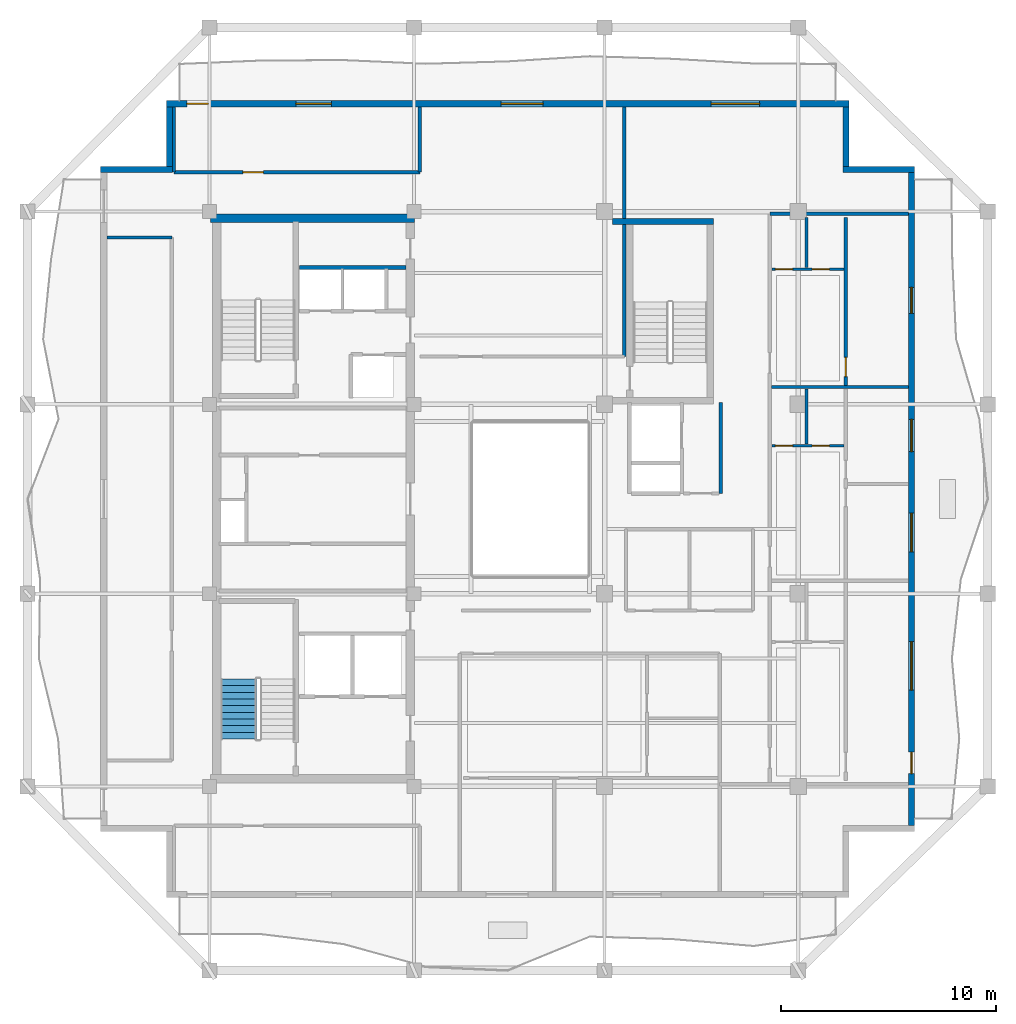
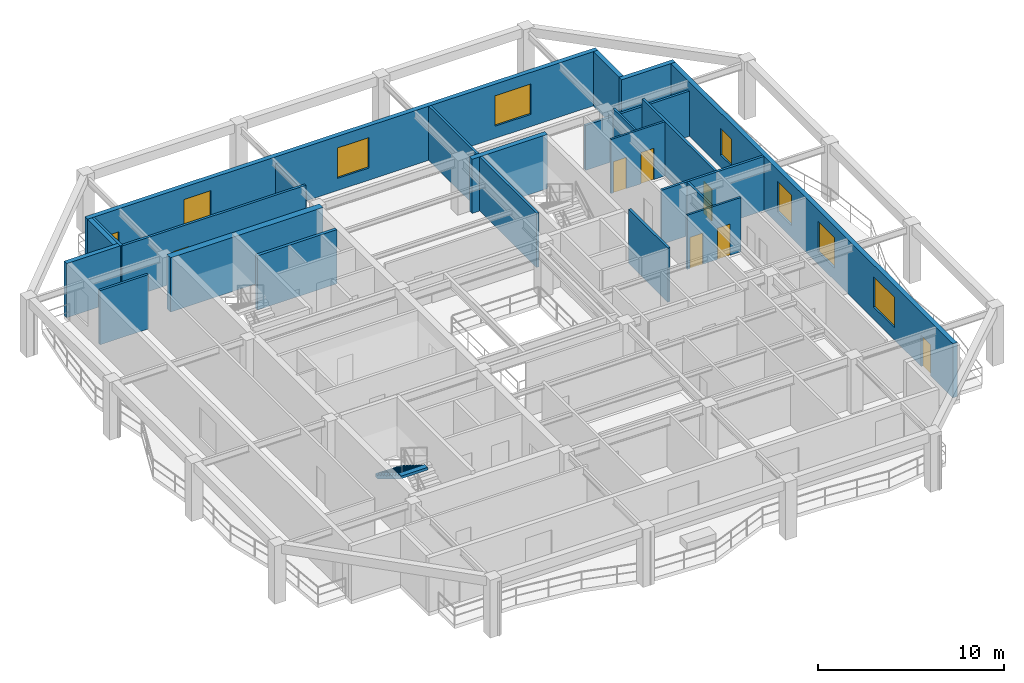
# One storey, part 5 of 10: 22 walls, 8 doors, 7 windows, 1 stair flight, 15 openings, 1 element without a shape of its own.
"""IFC4 building model written with IfcOpenShell, lengths in metres."""

from ifc_helpers import new_model, si_unit, direction, frame, frame_2d, origin, place, context, subcontext, project, spatial, polyline, rectangle, outline, extrude, material, layer, layer_set, type_object, element, fill, aggregate, save


model = new_model("IFC4")

# Units and contexts
model_context = context("Model", 3, precision=1e-05, world=origin(), true_north=direction((0.0, 1.0)))
body_context = subcontext(model_context, "Body", "Model", "MODEL_VIEW")
ifc_project = project(units=[si_unit("LENGTHUNIT", "METRE"), si_unit("AREAUNIT", "SQUARE_METRE"), si_unit("VOLUMEUNIT", "CUBIC_METRE"), si_unit("PLANEANGLEUNIT", "RADIAN"), si_unit("MASSUNIT", "GRAM", prefix="KILO")], contexts=[model_context])

# Site, building, storey
site_placement = place(None, origin())
site = spatial("IfcSite", under=ifc_project, at=site_placement, CompositionType="ELEMENT")
building_placement = place(site_placement, origin())
building = spatial("IfcBuilding", under=site, at=building_placement, Name="Kundavana Baori Tower", CompositionType="ELEMENT")
storey_placement = place(building_placement, frame((0.0, 0.0, 316.300048828125)))
storey = spatial("IfcBuildingStorey", under=building, at=storey_placement, Name="L78", CompositionType="ELEMENT", Elevation=316.300048828125)

# Wall
ifc_material_1 = material(Name="Concrete C50/60", Category="concrete")
ifc_layer_1 = layer(ifc_material_1, 0.39990234375, Name="WL-CORE-400")
ifc_layer_set_1 = layer_set([ifc_layer_1], Name="Concrete C50/60")
wall_type_1 = type_object("IfcWallType", Name="WL-CORE-400", PredefinedType="SHEAR", material=ifc_layer_set_1)
wall_1_placement = place(storey_placement, frame((15.5, 41.639892578125, 0.0), z_axis=(0.0, 0.0, 1.0), x_axis=(1.0, 0.0, 0.0)))
element("IfcWall", 1, at=wall_1_placement, inside=storey, type_object=wall_type_1, Name="L78 Offset Core North Shear Wall", PredefinedType="SHEAR", context=body_context, shape_type="SweptSolid", body=[
    extrude(rectangle(XDim=9.47998046875, YDim=0.39990234375, at=frame_2d((4.739990234375, 0.0))), origin(), (0.0, 0.0, 1.0), 3.56005859375),
])

# Wall, openings, door, windows
ifc_material_2 = material(Name="Red-Buff Dholpur Sandstone Cladding on Concrete C40/50", Category="masonry")
ifc_layer_2 = layer(ifc_material_2, 0.280029296875, Name="WL-EXT-SAND-280")
ifc_layer_set_2 = layer_set([ifc_layer_2], Name="Red-Buff Dholpur Sandstone Cladding on Concrete C40/50")
wall_type_2 = type_object("IfcWallType", Name="WL-EXT-SAND-280", PredefinedType="STANDARD", material=ifc_layer_set_2)
wall_2_placement = place(storey_placement, frame((48.06005859375, 13.429931640625, 0.0), z_axis=(0.0, 0.0, 1.0), x_axis=(0.0, 1.0, 0.0)))
wall_2 = element("IfcWall", 2, at=wall_2_placement, inside=storey, type_object=wall_type_2, Name="L78 Exterior Insulated Facade Wall 04", PredefinedType="STANDARD", context=body_context, shape_type="SweptSolid", body=[
    extrude(rectangle(XDim=30.340087890625, YDim=0.280029296875, at=frame_2d((15.169921875, 0.0))), origin(), (0.0, 0.0, 1.0), 3.56005859375),
])
opening_1_placement = place(wall_2_placement, frame((2.409912109375, 0.0, 0.0)))
opening_1 = element("IfcOpeningElement", 3, at=opening_1_placement, cuts=wall_2, Name="Opening BD-1", PredefinedType="OPENING", context=body_context, shape_type="SweptSolid", body=[
    extrude(rectangle(XDim=1.0, YDim=2.050048828125, at=frame_2d((0.5, 1.02490234375))), frame((0.0, 0.14990234375, 0.0), z_axis=(0.0, -1.0, 0.0), x_axis=(1.0, 0.0, 0.0)), (0.0, 0.0, 1.0), 0.300048828125),
])
opening_2_placement = place(wall_2_placement, frame((6.294921875, 0.0, 0.800048828125)))
opening_2 = element("IfcOpeningElement", 4, at=opening_2_placement, cuts=wall_2, Name="Opening W-10", PredefinedType="OPENING", context=body_context, shape_type="SweptSolid", body=[
    extrude(rectangle(XDim=2.25, YDim=2.0, at=frame_2d((1.125, 1.0))), frame((0.0, 0.14990234375, 0.0), z_axis=(0.0, -1.0, 0.0), x_axis=(1.0, 0.0, 0.0)), (0.0, 0.0, 1.0), 0.300048828125),
])
opening_3_placement = place(wall_2_placement, frame((12.719970703125, 0.0, 0.800048828125)))
opening_3 = element("IfcOpeningElement", 5, at=opening_3_placement, cuts=wall_2, Name="Opening W-01", PredefinedType="OPENING", context=body_context, shape_type="SweptSolid", body=[
    extrude(rectangle(XDim=1.800048828125, YDim=2.0, at=frame_2d((0.89990234375, 1.0))), frame((0.0, 0.14990234375, 0.0), z_axis=(0.0, -1.0, 0.0), x_axis=(1.0, 0.0, 0.0)), (0.0, 0.0, 1.0), 0.300048828125),
])
opening_4_placement = place(wall_2_placement, frame((17.3701171875, 0.0, 0.800048828125)))
opening_4 = element("IfcOpeningElement", 6, at=opening_4_placement, cuts=wall_2, Name="Opening W-02", PredefinedType="OPENING", context=body_context, shape_type="SweptSolid", body=[
    extrude(rectangle(XDim=1.5, YDim=2.0, at=frame_2d((0.75, 1.0))), frame((0.0, 0.14990234375, 0.0), z_axis=(0.0, -1.0, 0.0), x_axis=(1.0, 0.0, 0.0)), (0.0, 0.0, 1.0), 0.300048828125),
])
opening_5_placement = place(wall_2_placement, frame((23.794921875, 0.0, 0.800048828125)))
opening_5 = element("IfcOpeningElement", 7, at=opening_5_placement, cuts=wall_2, Name="Opening W-03", PredefinedType="OPENING", context=body_context, shape_type="SweptSolid", body=[
    extrude(rectangle(XDim=1.199951171875, YDim=1.75, at=frame_2d((0.60009765625, 0.875))), frame((0.0, 0.14990234375, 0.0), z_axis=(0.0, -1.0, 0.0), x_axis=(1.0, 0.0, 0.0)), (0.0, 0.0, 1.0), 0.300048828125),
])
ifc_material_3 = material(Name="Architectural Patinated Bronze Metalwork")
door_type_1 = type_object("IfcDoorType", Name="DR-EXT-LOG-1000", OperationType="NOTDEFINED", PredefinedType="DOOR", material=ifc_material_3)
door_1_placement = place(opening_1_placement, frame((1.0, 0.0, 0.0), z_axis=(0.0, 0.0, 1.0), x_axis=(-1.0, 0.0, 0.0)))
door_1 = element("IfcDoor", 8, at=door_1_placement, inside=storey, type_object=door_type_1, Name="L78 Loggia Balcony Access Door E", OperationType="SINGLE_SWING_RIGHT", OverallHeight=2.050048828125, OverallWidth=1.0, PredefinedType="DOOR", context=body_context, shape_type="SweptSolid", body=[
    extrude(rectangle(XDim=1.0, YDim=2.050048828125, at=frame_2d((0.5, 1.02490234375))), frame((0.0, 0.02490234375, 0.0), z_axis=(0.0, -1.0, 0.0), x_axis=(1.0, 0.0, 0.0)), (0.0, 0.0, 1.0), 0.050048828125),
])
fill(opening_1, door_1)
ifc_material_4 = material(Name="Double-Glazed Solar-Control Low-E Insulated Glass", Category="glass")
window_type_1 = type_object("IfcWindowType", Name="WIN-LOG-1200x1750", PartitioningType="SINGLE_PANEL", PredefinedType="WINDOW", material=ifc_material_4)
window_1_placement = place(opening_5_placement, origin())
window_1 = element("IfcWindow", 9, at=window_1_placement, inside=storey, type_object=window_type_1, Name="L78 Recessed Loggia Window E-4", OverallHeight=1.75, OverallWidth=1.199951171875, PartitioningType="SINGLE_PANEL", PredefinedType="WINDOW", context=body_context, shape_type="SweptSolid", body=[
    extrude(rectangle(XDim=1.199951171875, YDim=1.75, at=frame_2d((0.60009765625, 0.875))), frame((0.0, 0.030029296875, 0.0), z_axis=(0.0, -1.0, 0.0), x_axis=(1.0, 0.0, 0.0)), (0.0, 0.0, 1.0), 0.06005859375),
])
fill(opening_5, window_1)
ifc_material_5 = material(Name="Double-Glazed Solar-Control Low-E Insulated Glass", Category="glass")
window_type_2 = type_object("IfcWindowType", Name="WIN-LOG-1500x2000", PartitioningType="SINGLE_PANEL", PredefinedType="WINDOW", material=ifc_material_5)
window_2_placement = place(opening_4_placement, origin())
window_2 = element("IfcWindow", 10, at=window_2_placement, inside=storey, type_object=window_type_2, Name="L78 Recessed Loggia Window E-3", OverallHeight=2.0, OverallWidth=1.5, PartitioningType="SINGLE_PANEL", PredefinedType="WINDOW", context=body_context, shape_type="SweptSolid", body=[
    extrude(rectangle(XDim=1.5, YDim=2.0, at=frame_2d((0.75, 1.0))), frame((0.0, 0.030029296875, 0.0), z_axis=(0.0, -1.0, 0.0), x_axis=(1.0, 0.0, 0.0)), (0.0, 0.0, 1.0), 0.06005859375),
])
fill(opening_4, window_2)
ifc_material_6 = material(Name="Double-Glazed Solar-Control Low-E Insulated Glass", Category="glass")
window_type_3 = type_object("IfcWindowType", Name="WIN-LOG-1800x2000", PartitioningType="SINGLE_PANEL", PredefinedType="WINDOW", material=ifc_material_6)
window_3_placement = place(opening_3_placement, origin())
window_3 = element("IfcWindow", 11, at=window_3_placement, inside=storey, type_object=window_type_3, Name="L78 Recessed Loggia Window E-2", OverallHeight=2.0, OverallWidth=1.800048828125, PartitioningType="SINGLE_PANEL", PredefinedType="WINDOW", context=body_context, shape_type="SweptSolid", body=[
    extrude(rectangle(XDim=1.800048828125, YDim=2.0, at=frame_2d((0.89990234375, 1.0))), frame((0.0, 0.030029296875, 0.0), z_axis=(0.0, -1.0, 0.0), x_axis=(1.0, 0.0, 0.0)), (0.0, 0.0, 1.0), 0.06005859375),
])
fill(opening_3, window_3)
ifc_material_7 = material(Name="Double-Glazed Solar-Control Low-E Insulated Glass", Category="glass")
window_type_4 = type_object("IfcWindowType", Name="WIN-LOG-2250x2000", PartitioningType="SINGLE_PANEL", PredefinedType="WINDOW", material=ifc_material_7)
window_4_placement = place(opening_2_placement, origin())
window_4 = element("IfcWindow", 12, at=window_4_placement, inside=storey, type_object=window_type_4, Name="L78 Recessed Loggia Window E-1", OverallHeight=2.0, OverallWidth=2.25, PartitioningType="SINGLE_PANEL", PredefinedType="WINDOW", context=body_context, shape_type="SweptSolid", body=[
    extrude(rectangle(XDim=2.25, YDim=2.0, at=frame_2d((1.125, 1.0))), frame((0.0, 0.030029296875, 0.0), z_axis=(0.0, -1.0, 0.0), x_axis=(1.0, 0.0, 0.0)), (0.0, 0.0, 1.0), 0.06005859375),
])
fill(opening_2, window_4)

# Walls
wall_3_placement = place(storey_placement, frame((48.199951171875, 43.909912109375, 0.0), z_axis=(0.0, 0.0, 1.0), x_axis=(-1.0, 0.0, 0.0)))
element("IfcWall", 13, at=wall_3_placement, inside=storey, type_object=wall_type_2, Name="L78 Exterior Insulated Facade Wall 05", PredefinedType="STANDARD", context=body_context, shape_type="SweptSolid", body=[
    extrude(rectangle(XDim=3.329833984375, YDim=0.280029296875, at=frame_2d((1.6650390625, 0.0))), origin(), (0.0, 0.0, 1.0), 3.56005859375),
])
wall_4_placement = place(storey_placement, frame((45.010009765625, 44.050048828125, 0.0), z_axis=(0.0, 0.0, 1.0), x_axis=(0.0, 1.0, 0.0)))
element("IfcWall", 14, at=wall_4_placement, inside=storey, type_object=wall_type_2, Name="L78 Exterior Insulated Facade Wall 06", PredefinedType="STANDARD", context=body_context, shape_type="SweptSolid", body=[
    extrude(rectangle(XDim=2.77001953125, YDim=0.280029296875, at=frame_2d((1.385009765625, 0.0))), origin(), (0.0, 0.0, 1.0), 3.56005859375),
])

# Wall, openings, door, windows
wall_5_placement = place(storey_placement, frame((45.14990234375, 46.9599609375, 0.0), z_axis=(0.0, 0.0, 1.0), x_axis=(-1.0, 0.0, 0.0)))
wall_5 = element("IfcWall", 15, at=wall_5_placement, inside=storey, type_object=wall_type_2, Name="L78 Exterior Insulated Facade Wall 07", PredefinedType="STANDARD", context=body_context, shape_type="SweptSolid", body=[
    extrude(rectangle(XDim=31.699951171875, YDim=0.280029296875, at=frame_2d((15.85009765625, 0.0))), origin(), (0.0, 0.0, 1.0), 3.56005859375),
])
opening_6_placement = place(wall_5_placement, frame((29.75, 0.0, 0.0)))
opening_6 = element("IfcOpeningElement", 16, at=opening_6_placement, cuts=wall_5, Name="Opening BD-1", PredefinedType="OPENING", context=body_context, shape_type="SweptSolid", body=[
    extrude(rectangle(XDim=1.0, YDim=2.050048828125, at=frame_2d((0.5, 1.02490234375))), frame((0.0, 0.14990234375, 0.0), z_axis=(0.0, -1.0, 0.0), x_axis=(1.0, 0.0, 0.0)), (0.0, 0.0, 1.0), 0.300048828125),
])
opening_7_placement = place(wall_5_placement, frame((24.0400390625, 0.0, 0.800048828125)))
opening_7 = element("IfcOpeningElement", 17, at=opening_7_placement, cuts=wall_5, Name="Opening W-08", PredefinedType="OPENING", context=body_context, shape_type="SweptSolid", body=[
    extrude(rectangle(XDim=1.64990234375, YDim=1.949951171875, at=frame_2d((0.824951171875, 0.97509765625))), frame((0.0, 0.14990234375, 0.0), z_axis=(0.0, -1.0, 0.0), x_axis=(1.0, 0.0, 0.0)), (0.0, 0.0, 1.0), 0.300048828125),
])
opening_8_placement = place(wall_5_placement, frame((14.205078125, 0.0, 0.800048828125)))
opening_8 = element("IfcOpeningElement", 18, at=opening_8_placement, cuts=wall_5, Name="Opening W-09", PredefinedType="OPENING", context=body_context, shape_type="SweptSolid", body=[
    extrude(rectangle(XDim=1.949951171875, YDim=2.0, at=frame_2d((0.97509765625, 1.0))), frame((0.0, 0.14990234375, 0.0), z_axis=(0.0, -1.0, 0.0), x_axis=(1.0, 0.0, 0.0)), (0.0, 0.0, 1.0), 0.300048828125),
])
opening_9_placement = place(wall_5_placement, frame((4.14501953125, 0.0, 0.800048828125)))
opening_9 = element("IfcOpeningElement", 19, at=opening_9_placement, cuts=wall_5, Name="Opening W-10", PredefinedType="OPENING", context=body_context, shape_type="SweptSolid", body=[
    extrude(rectangle(XDim=2.25, YDim=2.0, at=frame_2d((1.125, 1.0))), frame((0.0, 0.14990234375, 0.0), z_axis=(0.0, -1.0, 0.0), x_axis=(1.0, 0.0, 0.0)), (0.0, 0.0, 1.0), 0.300048828125),
])
door_2_placement = place(opening_6_placement, frame((1.0, 0.0, 0.0), z_axis=(0.0, 0.0, 1.0), x_axis=(-1.0, 0.0, 0.0)))
door_2 = element("IfcDoor", 20, at=door_2_placement, inside=storey, type_object=door_type_1, Name="L78 Loggia Balcony Access Door N", OperationType="SINGLE_SWING_LEFT", OverallHeight=2.050048828125, OverallWidth=1.0, PredefinedType="DOOR", context=body_context, shape_type="SweptSolid", body=[
    extrude(rectangle(XDim=1.0, YDim=2.050048828125, at=frame_2d((0.5, 1.02490234375))), frame((0.0, 0.02490234375, 0.0), z_axis=(0.0, -1.0, 0.0), x_axis=(1.0, 0.0, 0.0)), (0.0, 0.0, 1.0), 0.050048828125),
])
fill(opening_6, door_2)
ifc_material_8 = material(Name="Double-Glazed Solar-Control Low-E Insulated Glass", Category="glass")
window_type_5 = type_object("IfcWindowType", Name="WIN-LOG-1650x1950", PartitioningType="SINGLE_PANEL", PredefinedType="WINDOW", material=ifc_material_8)
window_5_placement = place(opening_7_placement, origin())
window_5 = element("IfcWindow", 21, at=window_5_placement, inside=storey, type_object=window_type_5, Name="L78 Recessed Loggia Window N-1", OverallHeight=1.949951171875, OverallWidth=1.64990234375, PartitioningType="SINGLE_PANEL", PredefinedType="WINDOW", context=body_context, shape_type="SweptSolid", body=[
    extrude(rectangle(XDim=1.64990234375, YDim=1.949951171875, at=frame_2d((0.824951171875, 0.97509765625))), frame((0.0, 0.030029296875, 0.0), z_axis=(0.0, -1.0, 0.0), x_axis=(1.0, 0.0, 0.0)), (0.0, 0.0, 1.0), 0.06005859375),
])
fill(opening_7, window_5)
ifc_material_9 = material(Name="Double-Glazed Solar-Control Low-E Insulated Glass", Category="glass")
window_type_6 = type_object("IfcWindowType", Name="WIN-LOG-1950x2000", PartitioningType="SINGLE_PANEL", PredefinedType="WINDOW", material=ifc_material_9)
window_6_placement = place(opening_8_placement, origin())
window_6 = element("IfcWindow", 22, at=window_6_placement, inside=storey, type_object=window_type_6, Name="L78 Recessed Loggia Window N-2", OverallHeight=2.0, OverallWidth=1.949951171875, PartitioningType="SINGLE_PANEL", PredefinedType="WINDOW", context=body_context, shape_type="SweptSolid", body=[
    extrude(rectangle(XDim=1.949951171875, YDim=2.0, at=frame_2d((0.97509765625, 1.0))), frame((0.0, 0.030029296875, 0.0), z_axis=(0.0, -1.0, 0.0), x_axis=(1.0, 0.0, 0.0)), (0.0, 0.0, 1.0), 0.06005859375),
])
fill(opening_8, window_6)
window_7_placement = place(opening_9_placement, origin())
window_7 = element("IfcWindow", 23, at=window_7_placement, inside=storey, type_object=window_type_4, Name="L78 Recessed Loggia Window N-3", OverallHeight=2.0, OverallWidth=2.25, PartitioningType="SINGLE_PANEL", PredefinedType="WINDOW", context=body_context, shape_type="SweptSolid", body=[
    extrude(rectangle(XDim=2.25, YDim=2.0, at=frame_2d((1.125, 1.0))), frame((0.0, 0.030029296875, 0.0), z_axis=(0.0, -1.0, 0.0), x_axis=(1.0, 0.0, 0.0)), (0.0, 0.0, 1.0), 0.06005859375),
])
fill(opening_9, window_7)

# Walls
wall_6_placement = place(storey_placement, frame((13.590087890625, 46.820068359375, 0.0), z_axis=(0.0, 0.0, 1.0), x_axis=(0.0, -1.0, 0.0)))
element("IfcWall", 24, at=wall_6_placement, inside=storey, type_object=wall_type_2, Name="L78 Exterior Insulated Facade Wall 08", PredefinedType="STANDARD", context=body_context, shape_type="SweptSolid", body=[
    extrude(rectangle(XDim=2.77001953125, YDim=0.280029296875, at=frame_2d((1.385009765625, 0.0))), origin(), (0.0, 0.0, 1.0), 3.56005859375),
])
wall_7_placement = place(storey_placement, frame((13.72998046875, 43.909912109375, 0.0), z_axis=(0.0, 0.0, 1.0), x_axis=(-1.0, 0.0, 0.0)))
element("IfcWall", 25, at=wall_7_placement, inside=storey, type_object=wall_type_2, Name="L78 Exterior Insulated Facade Wall 09", PredefinedType="STANDARD", context=body_context, shape_type="SweptSolid", body=[
    extrude(rectangle(XDim=3.330078125, YDim=0.280029296875, at=frame_2d((1.6650390625, 0.0))), origin(), (0.0, 0.0, 1.0), 3.56005859375),
])
ifc_material_10 = material(Name="Fire-Rated Gypsum Drywall on Galvanised Steel Studs", Category="steel")
ifc_layer_3 = layer(ifc_material_10, 0.14990234375, Name="WL-PART-150")
ifc_layer_set_3 = layer_set([ifc_layer_3], Name="Fire-Rated Gypsum Drywall on Galvanised Steel Studs")
wall_type_3 = type_object("IfcWallType", Name="WL-PART-150", PredefinedType="PARTITIONING", material=ifc_layer_set_3)
wall_8_placement = place(storey_placement, frame((39.199951171875, 28.860107421875, 0.0), z_axis=(0.0, 0.0, 1.0), x_axis=(0.0, 1.0, 0.0)))
element("IfcWall", 26, at=wall_8_placement, inside=storey, type_object=wall_type_3, Name="WL-L78-SVLOB-E", PredefinedType="PARTITIONING", context=body_context, shape_type="SweptSolid", body=[
    extrude(rectangle(XDim=4.219970703125, YDim=0.14990234375, at=frame_2d((2.10986328125, 0.0))), origin(), (0.0, 0.0, 1.0), 3.56005859375),
])

# Wall, opening, door
wall_9_placement = place(storey_placement, frame((13.800048828125, 43.780029296875, 0.0), z_axis=(0.0, 0.0, 1.0), x_axis=(1.0, 0.0, 0.0)))
wall_9 = element("IfcWall", 27, at=wall_9_placement, inside=storey, type_object=wall_type_3, Name="WL-L78-RNC", PredefinedType="PARTITIONING", context=body_context, shape_type="SweptSolid", body=[
    extrude(rectangle(XDim=11.419921875, YDim=0.14990234375, at=frame_2d((5.7099609375, 0.0))), origin(), (0.0, 0.0, 1.0), 3.56005859375),
])
opening_10_placement = place(wall_9_placement, frame((3.199951171875, 0.0, 0.0)))
opening_10 = element("IfcOpeningElement", 28, at=opening_10_placement, cuts=wall_9, Name="Opening ID-095", PredefinedType="OPENING", context=body_context, shape_type="SweptSolid", body=[
    extrude(rectangle(XDim=0.949951171875, YDim=2.080078125, at=frame_2d((0.47509765625, 1.0400390625))), frame((0.0, 0.0849609375, 0.0), z_axis=(0.0, -1.0, 0.0), x_axis=(1.0, 0.0, 0.0)), (0.0, 0.0, 1.0), 0.169921875),
])
ifc_material_11 = material(Name="Engineered Teak Solid-Core Timber Veneer", Category="wood")
door_type_2 = type_object("IfcDoorType", Name="DR-INT-950", OperationType="NOTDEFINED", PredefinedType="DOOR", material=ifc_material_11)
door_3_placement = place(opening_10_placement, origin())
door_3 = element("IfcDoor", 29, at=door_3_placement, inside=storey, type_object=door_type_2, Name="DR-L78-RMNW", OperationType="SINGLE_SWING_RIGHT", OverallHeight=2.080078125, OverallWidth=0.949951171875, PredefinedType="DOOR", context=body_context, shape_type="SweptSolid", body=[
    extrude(rectangle(XDim=0.949951171875, YDim=2.080078125, at=frame_2d((0.47509765625, 1.0400390625))), frame((0.0, 0.02490234375, 0.0), z_axis=(0.0, -1.0, 0.0), x_axis=(1.0, 0.0, 0.0)), (0.0, 0.0, 1.0), 0.050048828125),
])
fill(opening_10, door_3)

# Walls
wall_10_placement = place(storey_placement, frame((13.800048828125, 43.780029296875, 0.0), z_axis=(0.0, 0.0, 1.0), x_axis=(0.0, 1.0, 0.0)))
element("IfcWall", 30, at=wall_10_placement, inside=storey, type_object=wall_type_3, Name="WL-L78-RNCW", PredefinedType="PARTITIONING", context=body_context, shape_type="SweptSolid", body=[
    extrude(rectangle(XDim=3.0400390625, YDim=0.14990234375, at=frame_2d((1.52001953125, 0.0))), origin(), (0.0, 0.0, 1.0), 3.56005859375),
])
wall_11_placement = place(storey_placement, frame((25.219970703125, 43.780029296875, 0.0), z_axis=(0.0, 0.0, 1.0), x_axis=(0.0, 1.0, 0.0)))
element("IfcWall", 31, at=wall_11_placement, inside=storey, type_object=wall_type_3, Name="WL-L78-RNCE", PredefinedType="PARTITIONING", context=body_context, shape_type="SweptSolid", body=[
    extrude(rectangle(XDim=3.0400390625, YDim=0.14990234375, at=frame_2d((1.52001953125, 0.0))), origin(), (0.0, 0.0, 1.0), 3.10986328125),
])
wall_12_placement = place(storey_placement, frame((10.679931640625, 40.75, 0.0), z_axis=(0.0, 0.0, 1.0), x_axis=(1.0, 0.0, 0.0)))
element("IfcWall", 32, at=wall_12_placement, inside=storey, type_object=wall_type_3, Name="WL-L78-RWN", PredefinedType="PARTITIONING", context=body_context, shape_type="SweptSolid", body=[
    extrude(rectangle(XDim=3.02001953125, YDim=0.14990234375, at=frame_2d((1.510009765625, 0.0))), origin(), (0.0, 0.0, 1.0), 3.56005859375),
])
wall_13_placement = place(storey_placement, frame((34.719970703125, 35.219970703125, 0.0), z_axis=(0.0, 0.0, 1.0), x_axis=(0.0, 1.0, 0.0)))
element("IfcWall", 33, at=wall_13_placement, inside=storey, type_object=wall_type_3, Name="WL-L78-RNEND", PredefinedType="PARTITIONING", context=body_context, shape_type="SweptSolid", body=[
    extrude(rectangle(XDim=11.60009765625, YDim=0.14990234375, at=frame_2d((5.800048828125, 0.0))), origin(), (0.0, 0.0, 1.0), 3.56005859375),
])
wall_14_placement = place(storey_placement, frame((41.47998046875, 41.85009765625, 0.0), z_axis=(0.0, 0.0, 1.0), x_axis=(1.0, 0.0, 0.0)))
element("IfcWall", 34, at=wall_14_placement, inside=storey, type_object=wall_type_3, Name="WL-L78-REN", PredefinedType="PARTITIONING", context=body_context, shape_type="SweptSolid", body=[
    extrude(rectangle(XDim=6.43994140625, YDim=0.14990234375, at=frame_2d((3.219970703125, 0.0))), origin(), (0.0, 0.0, 1.0), 2.9599609375),
])
wall_15_placement = place(storey_placement, frame((41.56005859375, 33.800048828125, 0.0), z_axis=(0.0, 0.0, 1.0), x_axis=(1.0, 0.0, 0.0)))
element("IfcWall", 35, at=wall_15_placement, inside=storey, type_object=wall_type_3, Name="WL-L78-RED2", PredefinedType="PARTITIONING", context=body_context, shape_type="SweptSolid", body=[
    extrude(rectangle(XDim=6.35986328125, YDim=0.14990234375, at=frame_2d((3.179931640625, 0.0))), origin(), (0.0, 0.0, 1.0), 3.56005859375),
])

# Wall, opening, door
wall_16_placement = place(storey_placement, frame((45.00390625, 33.8798828125, 0.0), z_axis=(0.0, 0.0, 1.0), x_axis=(0.0, 1.0, 0.0)))
wall_16 = element("IfcWall", 36, at=wall_16_placement, inside=storey, type_object=wall_type_3, Name="WL-L78-E3-VT", PredefinedType="PARTITIONING", context=body_context, shape_type="SweptSolid", body=[
    extrude(rectangle(XDim=7.7900390625, YDim=0.14990234375, at=frame_2d((3.89501953125, 0.0))), origin(), (0.0, 0.0, 1.0), 3.56005859375),
])
opening_11_placement = place(wall_16_placement, frame((0.39990234375, 0.0, 0.0)))
opening_11 = element("IfcOpeningElement", 37, at=opening_11_placement, cuts=wall_16, Name="Opening ID-090", PredefinedType="OPENING", context=body_context, shape_type="SweptSolid", body=[
    extrude(rectangle(XDim=0.89990234375, YDim=2.080078125, at=frame_2d((0.449951171875, 1.0400390625))), frame((0.0, 0.0849609375, 0.0), z_axis=(0.0, -1.0, 0.0), x_axis=(1.0, 0.0, 0.0)), (0.0, 0.0, 1.0), 0.169921875),
])
ifc_material_12 = material(Name="Engineered Teak Solid-Core Timber Veneer", Category="wood")
door_type_3 = type_object("IfcDoorType", Name="DR-INT-900", OperationType="NOTDEFINED", PredefinedType="DOOR", material=ifc_material_12)
door_4_placement = place(opening_11_placement, origin())
door_4 = element("IfcDoor", 38, at=door_4_placement, inside=storey, type_object=door_type_3, Name="DR-L78-E3-B1", OperationType="SINGLE_SWING_LEFT", OverallHeight=2.080078125, OverallWidth=0.89990234375, PredefinedType="DOOR", context=body_context, shape_type="SweptSolid", body=[
    extrude(rectangle(XDim=0.89990234375, YDim=2.080078125, at=frame_2d((0.449951171875, 1.0400390625))), frame((0.0, 0.02490234375, 0.0), z_axis=(0.0, -1.0, 0.0), x_axis=(1.0, 0.0, 0.0)), (0.0, 0.0, 1.0), 0.050048828125),
])
fill(opening_11, door_4)

# Walls
ifc_material_13 = material(Name="Autoclaved Aerated Concrete Blockwork Masonry", Category="masonry")
ifc_layer_4 = layer(ifc_material_13, 0.179931640625, Name="WL-SHAFT-180")
ifc_layer_set_4 = layer_set([ifc_layer_4], Name="Autoclaved Aerated Concrete Blockwork Masonry")
wall_type_4 = type_object("IfcWallType", Name="WL-SHAFT-180", PredefinedType="SOLIDWALL", material=ifc_layer_set_4)
wall_17_placement = place(storey_placement, frame((19.639892578125, 39.360107421875, 0.0), z_axis=(0.0, 0.0, 1.0), x_axis=(1.0, 0.0, 0.0)))
element("IfcWall", 39, at=wall_17_placement, inside=storey, type_object=wall_type_4, Name="WL-L78-HRLOB-TOP", PredefinedType="SOLIDWALL", context=body_context, shape_type="SweptSolid", body=[
    extrude(rectangle(XDim=4.940185546875, YDim=0.179931640625, at=frame_2d((2.47021484375, 0.0))), origin(), (0.0, 0.0, 1.0), 3.56005859375),
])
ifc_material_14 = material(Name="Concrete C50/60", Category="concrete")
ifc_layer_5 = layer(ifc_material_14, 0.300048828125, Name="WL-ST3-300")
ifc_layer_set_5 = layer_set([ifc_layer_5], Name="Concrete C50/60")
wall_type_5 = type_object("IfcWallType", Name="WL-ST3-300", PredefinedType="SHEAR", material=ifc_layer_set_5)
wall_18_placement = place(storey_placement, frame((34.175048828125, 41.489990234375, 0.0), z_axis=(0.0, 0.0, 1.0), x_axis=(1.0, 0.0, 0.0)))
element("IfcWall", 40, at=wall_18_placement, inside=storey, type_object=wall_type_5, Name="L78 Stair ST3 North Shear Wall", PredefinedType="SHEAR", context=body_context, shape_type="SweptSolid", body=[
    extrude(rectangle(XDim=4.695068359375, YDim=0.300048828125, at=frame_2d((2.34765625, 0.0))), origin(), (0.0, 0.0, 1.0), 3.56005859375),
])

# Wall, openings, doors
ifc_material_15 = material(Name="Autoclaved Aerated Concrete Blockwork Masonry", Category="masonry")
ifc_layer_6 = layer(ifc_material_15, 0.125, Name="WL-WET-120")
ifc_layer_set_6 = layer_set([ifc_layer_6], Name="Autoclaved Aerated Concrete Blockwork Masonry")
wall_type_6 = type_object("IfcWallType", Name="WL-WET-120", PredefinedType="PLUMBINGWALL", material=ifc_layer_set_6)
wall_19_placement = place(storey_placement, frame((41.580078125, 31.068115234375, 0.0), z_axis=(0.0, 0.0, 1.0), x_axis=(1.0, 0.0, 0.0)))
wall_19 = element("IfcWall", 41, at=wall_19_placement, inside=storey, type_object=wall_type_6, Name="WL-L78-E2-KH", PredefinedType="PLUMBINGWALL", context=body_context, shape_type="SweptSolid", body=[
    extrude(rectangle(XDim=3.343994140625, YDim=0.125, at=frame_2d((1.671875, 0.0))), origin(), (0.0, 0.0, 1.0), 3.56005859375),
])
opening_12_placement = place(wall_19_placement, frame((0.159912109375, 0.0, 0.0)))
opening_12 = element("IfcOpeningElement", 42, at=opening_12_placement, cuts=wall_19, Name="Opening WD-080", PredefinedType="OPENING", context=body_context, shape_type="SweptSolid", body=[
    extrude(rectangle(XDim=0.800048828125, YDim=2.050048828125, at=frame_2d((0.39990234375, 1.02490234375))), frame((0.0, 0.072509765625, 0.0), z_axis=(0.0, -1.0, 0.0), x_axis=(1.0, 0.0, 0.0)), (0.0, 0.0, 1.0), 0.14501953125),
])
opening_13_placement = place(wall_19_placement, frame((1.864990234375, 0.0, 0.0)))
opening_13 = element("IfcOpeningElement", 43, at=opening_13_placement, cuts=wall_19, Name="Opening WD-080", PredefinedType="OPENING", context=body_context, shape_type="SweptSolid", body=[
    extrude(rectangle(XDim=0.800048828125, YDim=2.050048828125, at=frame_2d((0.39990234375, 1.02490234375))), frame((0.0, 0.072509765625, 0.0), z_axis=(0.0, -1.0, 0.0), x_axis=(1.0, 0.0, 0.0)), (0.0, 0.0, 1.0), 0.14501953125),
])
ifc_material_16 = material(Name="Engineered Teak Solid-Core Timber Veneer", Category="wood")
door_type_4 = type_object("IfcDoorType", Name="DR-WET-800", OperationType="NOTDEFINED", PredefinedType="DOOR", material=ifc_material_16)
door_5_placement = place(opening_12_placement, origin())
door_5 = element("IfcDoor", 44, at=door_5_placement, inside=storey, type_object=door_type_4, Name="DR-L78-E2-BT", OperationType="SINGLE_SWING_LEFT", OverallHeight=2.050048828125, OverallWidth=0.800048828125, PredefinedType="DOOR", context=body_context, shape_type="SweptSolid", body=[
    extrude(rectangle(XDim=0.800048828125, YDim=2.050048828125, at=frame_2d((0.39990234375, 1.02490234375))), frame((0.0, 0.02490234375, 0.0), z_axis=(0.0, -1.0, 0.0), x_axis=(1.0, 0.0, 0.0)), (0.0, 0.0, 1.0), 0.050048828125),
])
fill(opening_12, door_5)
door_6_placement = place(opening_13_placement, origin())
door_6 = element("IfcDoor", 45, at=door_6_placement, inside=storey, type_object=door_type_4, Name="DR-L78-E2-KT", OperationType="SINGLE_SWING_RIGHT", OverallHeight=2.050048828125, OverallWidth=0.800048828125, PredefinedType="DOOR", context=body_context, shape_type="SweptSolid", body=[
    extrude(rectangle(XDim=0.800048828125, YDim=2.050048828125, at=frame_2d((0.39990234375, 1.02490234375))), frame((0.0, 0.02490234375, 0.0), z_axis=(0.0, -1.0, 0.0), x_axis=(1.0, 0.0, 0.0)), (0.0, 0.0, 1.0), 0.050048828125),
])
fill(opening_13, door_6)

# Wall
wall_20_placement = place(storey_placement, frame((43.18505859375, 31.14794921875, 0.0), z_axis=(0.0, 0.0, 1.0), x_axis=(0.0, 1.0, 0.0)))
element("IfcWall", 46, at=wall_20_placement, inside=storey, type_object=wall_type_6, Name="WL-L78-E2-BV", PredefinedType="PLUMBINGWALL", context=body_context, shape_type="SweptSolid", body=[
    extrude(rectangle(XDim=2.572021484375, YDim=0.125, at=frame_2d((1.2861328125, 0.0))), origin(), (0.0, 0.0, 1.0), 3.56005859375),
])

# Wall, openings, doors
wall_21_placement = place(storey_placement, frame((41.580078125, 39.27001953125, 0.0), z_axis=(0.0, 0.0, 1.0), x_axis=(1.0, 0.0, 0.0)))
wall_21 = element("IfcWall", 47, at=wall_21_placement, inside=storey, type_object=wall_type_6, Name="WL-L78-E3-KH", PredefinedType="PLUMBINGWALL", context=body_context, shape_type="SweptSolid", body=[
    extrude(rectangle(XDim=3.343994140625, YDim=0.125, at=frame_2d((1.671875, 0.0))), origin(), (0.0, 0.0, 1.0), 3.56005859375),
])
opening_14_placement = place(wall_21_placement, frame((0.159912109375, 0.0, 0.0)))
opening_14 = element("IfcOpeningElement", 48, at=opening_14_placement, cuts=wall_21, Name="Opening WD-080", PredefinedType="OPENING", context=body_context, shape_type="SweptSolid", body=[
    extrude(rectangle(XDim=0.800048828125, YDim=2.050048828125, at=frame_2d((0.39990234375, 1.02490234375))), frame((0.0, 0.072509765625, 0.0), z_axis=(0.0, -1.0, 0.0), x_axis=(1.0, 0.0, 0.0)), (0.0, 0.0, 1.0), 0.14501953125),
])
opening_15_placement = place(wall_21_placement, frame((1.864990234375, 0.0, 0.0)))
opening_15 = element("IfcOpeningElement", 49, at=opening_15_placement, cuts=wall_21, Name="Opening WD-080", PredefinedType="OPENING", context=body_context, shape_type="SweptSolid", body=[
    extrude(rectangle(XDim=0.800048828125, YDim=2.050048828125, at=frame_2d((0.39990234375, 1.02490234375))), frame((0.0, 0.072509765625, 0.0), z_axis=(0.0, -1.0, 0.0), x_axis=(1.0, 0.0, 0.0)), (0.0, 0.0, 1.0), 0.14501953125),
])
door_7_placement = place(opening_14_placement, origin())
door_7 = element("IfcDoor", 50, at=door_7_placement, inside=storey, type_object=door_type_4, Name="DR-L78-E3-BT", OperationType="SINGLE_SWING_LEFT", OverallHeight=2.050048828125, OverallWidth=0.800048828125, PredefinedType="DOOR", context=body_context, shape_type="SweptSolid", body=[
    extrude(rectangle(XDim=0.800048828125, YDim=2.050048828125, at=frame_2d((0.39990234375, 1.02490234375))), frame((0.0, 0.02490234375, 0.0), z_axis=(0.0, -1.0, 0.0), x_axis=(1.0, 0.0, 0.0)), (0.0, 0.0, 1.0), 0.050048828125),
])
fill(opening_14, door_7)
door_8_placement = place(opening_15_placement, origin())
door_8 = element("IfcDoor", 51, at=door_8_placement, inside=storey, type_object=door_type_4, Name="DR-L78-E3-KT", OperationType="SINGLE_SWING_RIGHT", OverallHeight=2.050048828125, OverallWidth=0.800048828125, PredefinedType="DOOR", context=body_context, shape_type="SweptSolid", body=[
    extrude(rectangle(XDim=0.800048828125, YDim=2.050048828125, at=frame_2d((0.39990234375, 1.02490234375))), frame((0.0, 0.02490234375, 0.0), z_axis=(0.0, -1.0, 0.0), x_axis=(1.0, 0.0, 0.0)), (0.0, 0.0, 1.0), 0.050048828125),
])
fill(opening_15, door_8)

# Wall
wall_22_placement = place(storey_placement, frame((43.18505859375, 39.35009765625, 0.0), z_axis=(0.0, 0.0, 1.0), x_axis=(0.0, 1.0, 0.0)))
element("IfcWall", 52, at=wall_22_placement, inside=storey, type_object=wall_type_6, Name="WL-L78-E3-BV", PredefinedType="PLUMBINGWALL", context=body_context, shape_type="SweptSolid", body=[
    extrude(rectangle(XDim=2.31982421875, YDim=0.125, at=frame_2d((1.159912109375, 0.0))), origin(), (0.0, 0.0, 1.0), 3.56005859375),
])

# Stair, stair flight
ifc_material_17 = material(Name="Concrete C40/50", Category="concrete")
stair_type = type_object("IfcStairType", Name="STR-DOG-1650", PredefinedType="HALF_TURN_STAIR", material=ifc_material_17)
stair_placement = place(storey_placement, origin())
stair = element("IfcStair", 53, at=stair_placement, inside=storey, type_object=stair_type, Name="L78 Protected Exit Stair ST1", PredefinedType="HALF_TURN_STAIR")
ifc_material_18 = material(Name="Concrete C40/50", Category="concrete")
stair_flight_type = type_object("IfcStairFlightType", Name="SFL-RC-1650", PredefinedType="STRAIGHT", material=ifc_material_18)
stair_flight_placement = place(storey_placement, frame((16.804931640625, 20.239990234375, 1.89990234375), z_axis=(0.0, 0.0, 1.0), x_axis=(0.0, -1.0, 0.0)))
stair_flight = element("IfcStairFlight", 54, at=stair_flight_placement, type_object=stair_flight_type, Name="ST1 flight 2", NumberOfRisers=10, NumberOfTreads=9, PredefinedType="STRAIGHT", RiserHeight=0.19, TreadLength=0.31, context=body_context, shape_type="SweptSolid", body=[
    extrude(outline(polyline([(0.0, 0.0), (0.0, 0.18994140625), (0.31005859375, 0.18994140625), (0.31005859375, 0.3798828125), (0.6201171875, 0.3798828125), (0.6201171875, 0.570068359375), (0.929931640625, 0.570068359375), (0.929931640625, 0.760009765625), (1.239990234375, 0.760009765625), (1.239990234375, 0.949951171875), (1.550048828125, 0.949951171875), (1.550048828125, 1.139892578125), (1.860107421875, 1.139892578125), (1.860107421875, 1.330078125), (2.169921875, 1.330078125), (2.169921875, 1.52001953125), (2.47998046875, 1.52001953125), (2.47998046875, 1.7099609375), (2.7900390625, 1.7099609375), (2.7900390625, 1.89990234375), (2.7900390625, 1.5341796875), (0.286865234375, 0.0), (0.0, 0.0)])), frame((0.0, 0.824951171875, 0.0), z_axis=(0.0, -1.0, 0.0), x_axis=(1.0, 0.0, 0.0)), (0.0, 0.0, 1.0), 1.64990234375),
])
aggregate(stair, [stair_flight])

save(model, "model.ifc")
